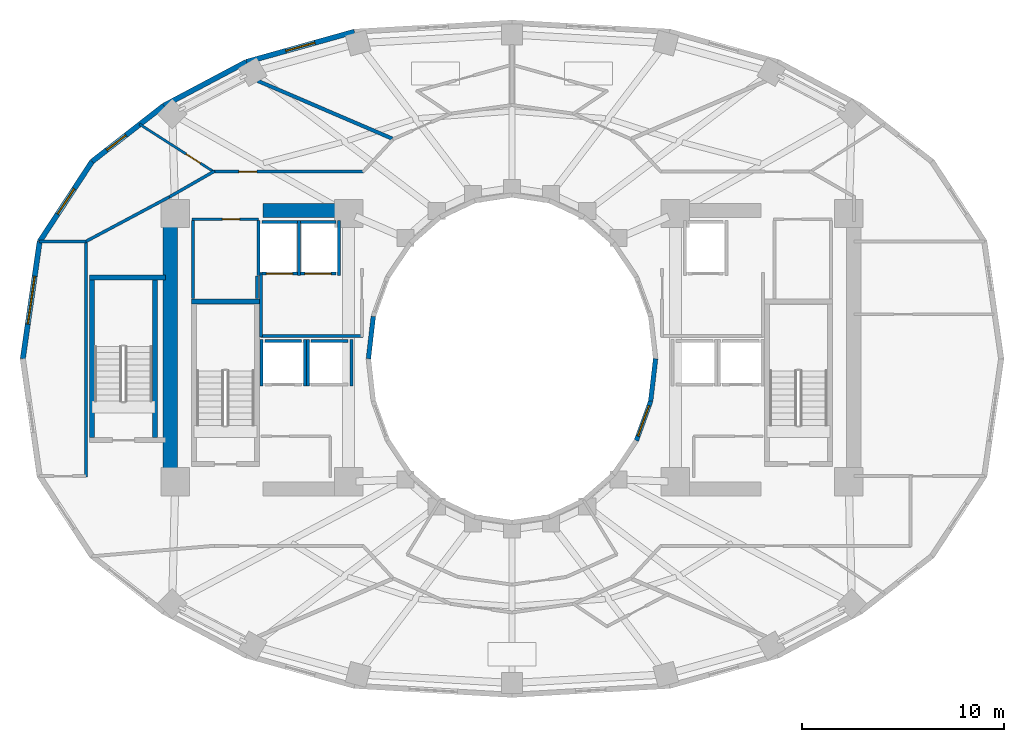
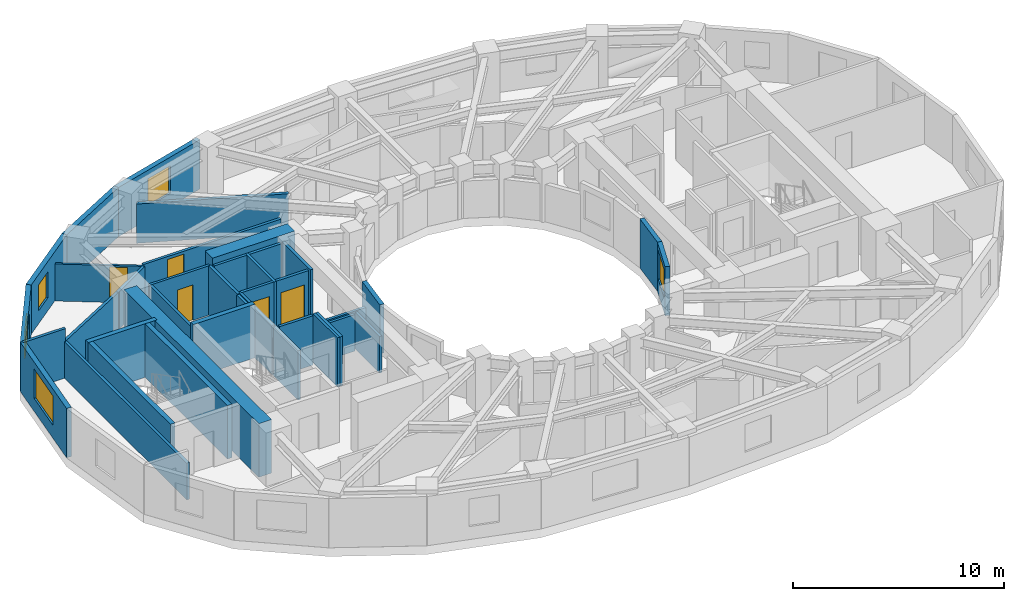
# One storey, part 4 of 9: 39 walls, 5 doors, 5 windows, 10 openings.
"""IFC4 building model written with IfcOpenShell, lengths in metres."""

from ifc_helpers import new_model, si_unit, direction, frame, frame_2d, origin, place, context, subcontext, project, spatial, rectangle, extrude, material, layer, layer_set, type_object, element, fill, save


model = new_model("IFC4")

# Units and contexts
model_context = context("Model", 3, precision=1e-05, world=origin(), true_north=direction((0.0, 1.0)))
body_context = subcontext(model_context, "Body", "Model", "MODEL_VIEW")
ifc_project = project(units=[si_unit("LENGTHUNIT", "METRE"), si_unit("AREAUNIT", "SQUARE_METRE"), si_unit("VOLUMEUNIT", "CUBIC_METRE"), si_unit("PLANEANGLEUNIT", "RADIAN"), si_unit("MASSUNIT", "GRAM", prefix="KILO")], contexts=[model_context])

# Site, building, storey
site_placement = place(None, origin())
site = spatial("IfcSite", under=ifc_project, at=site_placement, CompositionType="ELEMENT")
building_placement = place(site_placement, origin())
building = spatial("IfcBuilding", under=site, at=building_placement, Name="Solvane Sanctuary Tower", CompositionType="ELEMENT")
storey_placement = place(building_placement, frame((0.0, 0.0, 122.800048828125)))
storey = spatial("IfcBuildingStorey", under=building, at=storey_placement, Name="L37", CompositionType="ELEMENT", Elevation=122.800048828125)

# Walls
ifc_material_1 = material(Name="Concrete C60/75", Category="concrete")
ifc_layer_1 = layer(ifc_material_1, 0.699951171875, Name="Concrete C60/75")
ifc_layer_set_1 = layer_set([ifc_layer_1], Name="Concrete C60/75")
wall_type_1 = type_object("IfcWallType", Name="Wall W-CORE-700", PredefinedType="SHEAR", material=ifc_layer_set_1)
wall_1_placement = place(storey_placement, frame((15.050048828125, 17.050048828125, 0.0), z_axis=(0.0, 0.0, 1.0), x_axis=(0.0, 1.0, 0.0)))
element("IfcWall", 1, at=wall_1_placement, inside=storey, type_object=wall_type_1, Name="L37 Core Shear Wall WC-W", PredefinedType="SHEAR", context=body_context, shape_type="SweptSolid", body=[
    extrude(rectangle(XDim=12.800048828125, YDim=0.699951171875, at=frame_2d((6.39990234375, 0.0))), origin(), (0.0, 0.0, 1.0), 3.099853515625),
])
wall_2_placement = place(storey_placement, frame((19.64990234375, 30.35009765625, 0.0), z_axis=(0.0, 0.0, 1.0), x_axis=(1.0, 0.0, 0.0)))
element("IfcWall", 2, at=wall_2_placement, inside=storey, type_object=wall_type_1, Name="L37 Core Shear Wall WC-N", PredefinedType="SHEAR", context=body_context, shape_type="SweptSolid", body=[
    extrude(rectangle(XDim=4.5, YDim=0.699951171875, at=frame_2d((2.25, 0.0))), origin(), (0.0, 0.0, 1.0), 3.099853515625),
])
ifc_material_2 = material(Name="Acoustic Gypsum Partition Board")
ifc_layer_2 = layer(ifc_material_2, 0.14990234375, Name="Acoustic Gypsum Partition Board")
ifc_layer_set_2 = layer_set([ifc_layer_2], Name="Acoustic Gypsum Partition Board")
wall_type_2 = type_object("IfcWallType", Name="Wall W-CORR-150", PredefinedType="PARTITIONING", material=ifc_layer_set_2)
wall_3_placement = place(storey_placement, frame((19.52001953125, 24.1201171875, 0.0), z_axis=(0.0, 0.0, 1.0), x_axis=(1.0, 0.0, 0.0)))
element("IfcWall", 3, at=wall_3_placement, inside=storey, type_object=wall_type_2, Name="L37 West Firefighting Lobby South Wall", PredefinedType="PARTITIONING", context=body_context, shape_type="SweptSolid", body=[
    extrude(rectangle(XDim=5.080078125, YDim=0.14990234375, at=frame_2d((2.5400390625, 0.0))), origin(), (0.0, 0.0, 1.0), 2.119873046875),
])
wall_4_placement = place(storey_placement, frame((19.550048828125, 24.080078125, 0.0), z_axis=(0.0, 0.0, 1.0), x_axis=(0.0, 1.0, 0.0)))
element("IfcWall", 4, at=wall_4_placement, inside=storey, type_object=wall_type_2, Name="L37 West Firefighting Lobby West Wall", PredefinedType="PARTITIONING", context=body_context, shape_type="SweptSolid", body=[
    extrude(rectangle(XDim=3.199951171875, YDim=0.14990234375, at=frame_2d((1.60009765625, 0.0))), origin(), (0.0, 0.0, 1.0), 2.85498046875),
])
wall_5_placement = place(storey_placement, frame((10.8798828125, 17.134765625, 0.0), z_axis=(0.0, 0.0, 1.0), x_axis=(0.0, 1.0, 0.0)))
element("IfcWall", 5, at=wall_5_placement, inside=storey, type_object=wall_type_2, Name="L37 West Shoulder Back Wall", PredefinedType="PARTITIONING", context=body_context, shape_type="SweptSolid", body=[
    extrude(rectangle(XDim=11.73046875, YDim=0.14990234375, at=frame_2d((5.865234375, 0.0))), origin(), (0.0, 0.0, 1.0), 2.119873046875),
])
wall_6_placement = place(storey_placement, frame((8.558349609375, 28.8251953125, 0.0), z_axis=(0.0, 0.0, 1.0), x_axis=(1.0, 0.0, 0.0)))
element("IfcWall", 6, at=wall_6_placement, inside=storey, type_object=wall_type_2, Name="L37 West Shoulder North Wall", PredefinedType="PARTITIONING", context=body_context, shape_type="SweptSolid", body=[
    extrude(rectangle(XDim=2.321533203125, YDim=0.14990234375, at=frame_2d((1.16064453125, 0.0))), origin(), (0.0, 0.0, 1.0), 2.85498046875),
])
wall_7_placement = place(storey_placement, frame((10.8447265625, 28.806396484375, 0.0), z_axis=(0.0, 0.0, 1.0), x_axis=(0.88227840565, 0.470727962759, 0.0)))
element("IfcWall", 7, at=wall_7_placement, inside=storey, type_object=wall_type_2, Name="L37 NW Corner Closer 1", PredefinedType="PARTITIONING", context=body_context, shape_type="SweptSolid", body=[
    extrude(rectangle(XDim=4.806396484375, YDim=0.14990234375, at=frame_2d((2.4033203125, 0.0))), origin(), (0.0, 0.0, 1.0), 2.141845703125),
])

# Wall, opening, door
wall_8_placement = place(storey_placement, frame((17.14990234375, 32.280029296875, 0.0), z_axis=(0.0, 0.0, 1.0), x_axis=(1.0, 0.0, 0.0)))
wall_8 = element("IfcWall", 8, at=wall_8_placement, inside=storey, type_object=wall_type_2, Name="L37 NW Corner Corridor Wall", PredefinedType="PARTITIONING", context=body_context, shape_type="SweptSolid", body=[
    extrude(rectangle(XDim=7.52001953125, YDim=0.14990234375, at=frame_2d((3.760009765625, 0.0))), origin(), (0.0, 0.0, 1.0), 2.27197265625),
])
opening_1_placement = place(wall_8_placement, frame((1.300048828125, 0.0, 0.0)))
opening_1 = element("IfcOpeningElement", 9, at=opening_1_placement, cuts=wall_8, Name="Opening D-L37-16", PredefinedType="OPENING", context=body_context, shape_type="SweptSolid", body=[
    extrude(rectangle(XDim=0.89990234375, YDim=2.10009765625, at=frame_2d((0.449951171875, 1.050048828125))), frame((0.0, 0.0849609375, 0.0), z_axis=(0.0, -1.0, 0.0), x_axis=(1.0, 0.0, 0.0)), (0.0, 0.0, 1.0), 0.169921875),
])
ifc_material_3 = material(Name="Engineered Tropical Hardwood", Category="wood")
door_type_1 = type_object("IfcDoorType", Name="Door D-WET-900", OperationType="NOTDEFINED", PredefinedType="DOOR", material=ifc_material_3)
door_1_placement = place(opening_1_placement, origin())
door_1 = element("IfcDoor", 10, at=door_1_placement, inside=storey, type_object=door_type_1, Name="L37 NW Corner Salon Door", OperationType="SINGLE_SWING_LEFT", OverallHeight=2.10009765625, OverallWidth=0.89990234375, PredefinedType="DOOR", context=body_context, shape_type="SweptSolid", body=[
    extrude(rectangle(XDim=0.89990234375, YDim=2.10009765625, at=frame_2d((0.449951171875, 1.050048828125))), frame((0.0, 0.02490234375, 0.0), z_axis=(0.0, -1.0, 0.0), x_axis=(1.0, 0.0, 0.0)), (0.0, 0.0, 1.0), 0.050048828125),
])
fill(opening_1, door_1)

# Wall
wall_9_placement = place(storey_placement, frame((17.243408203125, 32.3046875, 0.0), z_axis=(0.0, 0.0, 1.0), x_axis=(-0.867991349648, -0.496579315857, 0.0)))
element("IfcWall", 11, at=wall_9_placement, inside=storey, type_object=wall_type_2, Name="L37 NW Corner Wing Wall", PredefinedType="PARTITIONING", context=body_context, shape_type="SweptSolid", body=[
    extrude(rectangle(XDim=2.56689453125, YDim=0.14990234375, at=frame_2d((1.283447265625, 0.0))), origin(), (0.0, 0.0, 1.0), 2.141845703125),
])

# Wall, opening, window
ifc_material_4 = material(Name="Precast concrete C40/50", Category="concrete")
ifc_layer_3 = layer(ifc_material_4, 0.260009765625, Name="Precast concrete C40/50")
ifc_layer_set_3 = layer_set([ifc_layer_3], Name="Precast concrete C40/50")
wall_type_3 = type_object("IfcWallType", Name="Wall W-EXT-250", PredefinedType="STANDARD", material=ifc_layer_set_3)
wall_10_placement = place(storey_placement, frame((24.18359375, 39.2216796875, 0.0), z_axis=(0.0, 0.0, 1.0), x_axis=(-0.962938491413, -0.269721081407, 0.0)))
wall_10 = element("IfcWall", 12, at=wall_10_placement, inside=storey, type_object=wall_type_3, Name="L37 Ceramic-Printed Facade Wall 07", PredefinedType="STANDARD", context=body_context, shape_type="SweptSolid", body=[
    extrude(rectangle(XDim=5.563232421875, YDim=0.260009765625, at=frame_2d((2.78173828125, 0.0))), origin(), (0.0, 0.0, 1.0), 2.849853515625),
])
opening_2_placement = place(wall_10_placement, frame((2.031494140625, 0.0, 0.75)))
opening_2 = element("IfcOpeningElement", 13, at=opening_2_placement, cuts=wall_10, Name="Opening WN-OPER-1500", PredefinedType="OPENING", context=body_context, shape_type="SweptSolid", body=[
    extrude(rectangle(XDim=1.5, YDim=1.60009765625, at=frame_2d((0.75, 0.800048828125))), frame((0.0, 0.139892578125, 0.0), z_axis=(0.0, -1.0, 0.0), x_axis=(1.0, 0.0, 0.0)), (0.0, 0.0, 1.0), 0.280029296875),
])
ifc_material_5 = material(Name="Dark Ceramic-Fritted Low-E Glass", Category="glass")
window_type_1 = type_object("IfcWindowType", Name="Window WN-OPER-1500", PartitioningType="SINGLE_PANEL", PredefinedType="WINDOW", material=ifc_material_5)
window_1_placement = place(opening_2_placement, origin())
window_1 = element("IfcWindow", 14, at=window_1_placement, inside=storey, type_object=window_type_1, Name="L37 Operable Facade Window 07", OverallHeight=1.60009765625, OverallWidth=1.5, PartitioningType="SINGLE_PANEL", PredefinedType="WINDOW", context=body_context, shape_type="SweptSolid", body=[
    extrude(rectangle(XDim=1.5, YDim=1.60009765625, at=frame_2d((0.75, 0.800048828125))), frame((0.0, 0.030029296875, 0.0), z_axis=(0.0, -1.0, 0.0), x_axis=(1.0, 0.0, 0.0)), (0.0, 0.0, 1.0), 0.06005859375),
])
fill(opening_2, window_1)

# Wall
wall_11_placement = place(storey_placement, frame((18.82666015625, 37.72119140625, 0.0), z_axis=(0.0, 0.0, 1.0), x_axis=(-0.883668636807, -0.4681129568, 0.0)))
element("IfcWall", 15, at=wall_11_placement, inside=storey, type_object=wall_type_3, Name="L37 Ceramic-Printed Facade Wall 08", PredefinedType="STANDARD", context=body_context, shape_type="SweptSolid", body=[
    extrude(rectangle(XDim=4.63134765625, YDim=0.260009765625, at=frame_2d((2.315673828125, 0.0))), origin(), (0.0, 0.0, 1.0), 2.849853515625),
])

# Wall, opening, window
wall_12_placement = place(storey_placement, frame((14.734130859375, 35.55322265625, 0.0), z_axis=(0.0, 0.0, 1.0), x_axis=(-0.789127449954, -0.614229491094, 0.0)))
wall_12 = element("IfcWall", 16, at=wall_12_placement, inside=storey, type_object=wall_type_3, Name="L37 Ceramic-Printed Facade Wall 09", PredefinedType="STANDARD", context=body_context, shape_type="SweptSolid", body=[
    extrude(rectangle(XDim=4.504638671875, YDim=0.260009765625, at=frame_2d((2.25244140625, 0.0))), origin(), (0.0, 0.0, 1.0), 2.849853515625),
])
opening_3_placement = place(wall_12_placement, frame((2.383056640625, 0.0, 0.75)))
opening_3 = element("IfcOpeningElement", 17, at=opening_3_placement, cuts=wall_12, Name="Opening WN-OPER-1200", PredefinedType="OPENING", context=body_context, shape_type="SweptSolid", body=[
    extrude(rectangle(XDim=1.199951171875, YDim=1.5, at=frame_2d((0.60009765625, 0.75))), frame((0.0, 0.139892578125, 0.0), z_axis=(0.0, -1.0, 0.0), x_axis=(1.0, 0.0, 0.0)), (0.0, 0.0, 1.0), 0.280029296875),
])
window_type_2 = type_object("IfcWindowType", Name="Window WN-OPER-1200", PartitioningType="SINGLE_PANEL", PredefinedType="WINDOW", material=ifc_material_5)
window_2_placement = place(opening_3_placement, origin())
window_2 = element("IfcWindow", 18, at=window_2_placement, inside=storey, type_object=window_type_2, Name="L37 Operable Facade Window 09", OverallHeight=1.5, OverallWidth=1.199951171875, PartitioningType="SINGLE_PANEL", PredefinedType="WINDOW", context=body_context, shape_type="SweptSolid", body=[
    extrude(rectangle(XDim=1.199951171875, YDim=1.5, at=frame_2d((0.60009765625, 0.75))), frame((0.0, 0.030029296875, 0.0), z_axis=(0.0, -1.0, 0.0), x_axis=(1.0, 0.0, 0.0)), (0.0, 0.0, 1.0), 0.06005859375),
])
fill(opening_3, window_2)

wall_13_placement = place(storey_placement, frame((11.179443359375, 32.786376953125, 0.0), z_axis=(0.0, 0.0, 1.0), x_axis=(-0.548283220945, -0.836292717672, 0.0)))
wall_13 = element("IfcWall", 19, at=wall_13_placement, inside=storey, type_object=wall_type_3, Name="L37 Ceramic-Printed Facade Wall 10", PredefinedType="STANDARD", context=body_context, shape_type="SweptSolid", body=[
    extrude(rectangle(XDim=4.744384765625, YDim=0.260009765625, at=frame_2d((2.3720703125, 0.0))), origin(), (0.0, 0.0, 1.0), 2.849853515625),
])
opening_4_placement = place(wall_13_placement, frame((1.622314453125, 0.0, 0.75)))
opening_4 = element("IfcOpeningElement", 20, at=opening_4_placement, cuts=wall_13, Name="Opening WN-OPER-1500", PredefinedType="OPENING", context=body_context, shape_type="SweptSolid", body=[
    extrude(rectangle(XDim=1.5, YDim=1.60009765625, at=frame_2d((0.75, 0.800048828125))), frame((0.0, 0.139892578125, 0.0), z_axis=(0.0, -1.0, 0.0), x_axis=(1.0, 0.0, 0.0)), (0.0, 0.0, 1.0), 0.280029296875),
])
window_3_placement = place(opening_4_placement, origin())
window_3 = element("IfcWindow", 21, at=window_3_placement, inside=storey, type_object=window_type_1, Name="L37 Operable Facade Window 10", OverallHeight=1.60009765625, OverallWidth=1.5, PartitioningType="SINGLE_PANEL", PredefinedType="WINDOW", context=body_context, shape_type="SweptSolid", body=[
    extrude(rectangle(XDim=1.5, YDim=1.60009765625, at=frame_2d((0.75, 0.800048828125))), frame((0.0, 0.030029296875, 0.0), z_axis=(0.0, -1.0, 0.0), x_axis=(1.0, 0.0, 0.0)), (0.0, 0.0, 1.0), 0.06005859375),
])
fill(opening_4, window_3)

wall_14_placement = place(storey_placement, frame((8.578125, 28.818603515625, 0.0), z_axis=(0.0, 0.0, 1.0), x_axis=(-0.142572472068, -0.98978436551, 0.0)))
wall_14 = element("IfcWall", 22, at=wall_14_placement, inside=storey, type_object=wall_type_3, Name="L37 Ceramic-Printed Facade Wall 11", PredefinedType="STANDARD", context=body_context, shape_type="SweptSolid", body=[
    extrude(rectangle(XDim=5.878662109375, YDim=0.260009765625, at=frame_2d((2.939453125, 0.0))), origin(), (0.0, 0.0, 1.0), 2.849853515625),
])
opening_5_placement = place(wall_14_placement, frame((1.739501953125, 0.0, 0.75)))
opening_5 = element("IfcOpeningElement", 23, at=opening_5_placement, cuts=wall_14, Name="Opening WN-RIB-2400", PredefinedType="OPENING", context=body_context, shape_type="SweptSolid", body=[
    extrude(rectangle(XDim=2.39990234375, YDim=1.699951171875, at=frame_2d((1.199951171875, 0.85009765625))), frame((0.0, 0.139892578125, 0.0), z_axis=(0.0, -1.0, 0.0), x_axis=(1.0, 0.0, 0.0)), (0.0, 0.0, 1.0), 0.280029296875),
])
window_type_3 = type_object("IfcWindowType", Name="Window WN-RIB-2400", PartitioningType="SINGLE_PANEL", PredefinedType="WINDOW", material=ifc_material_5)
window_4_placement = place(opening_5_placement, origin())
window_4 = element("IfcWindow", 24, at=window_4_placement, inside=storey, type_object=window_type_3, Name="L37 Operable Facade Window 11", OverallHeight=1.699951171875, OverallWidth=2.39990234375, PartitioningType="SINGLE_PANEL", PredefinedType="WINDOW", context=body_context, shape_type="SweptSolid", body=[
    extrude(rectangle(XDim=2.39990234375, YDim=1.699951171875, at=frame_2d((1.199951171875, 0.85009765625))), frame((0.0, 0.030029296875, 0.0), z_axis=(0.0, -1.0, 0.0), x_axis=(1.0, 0.0, 0.0)), (0.0, 0.0, 1.0), 0.06005859375),
])
fill(opening_5, window_4)

# Wall
ifc_layer_4 = layer(ifc_material_4, 0.22998046875, Name="Precast concrete C40/50")
ifc_layer_set_4 = layer_set([ifc_layer_4], Name="Precast concrete C40/50")
wall_type_4 = type_object("IfcWallType", Name="Wall W-EXT-SP220", PredefinedType="STANDARD", material=ifc_layer_set_4)
wall_15_placement = place(storey_placement, frame((25.12255859375, 25.1015625, 0.0), z_axis=(0.0, 0.0, 1.0), x_axis=(-0.114711713601, -0.993398823617, 0.0)))
element("IfcWall", 25, at=wall_15_placement, inside=storey, type_object=wall_type_4, Name="L37 Central Light-Well Wall 11", PredefinedType="STANDARD", context=body_context, shape_type="SweptSolid", body=[
    extrude(rectangle(XDim=2.115478515625, YDim=0.22998046875, at=frame_2d((1.0576171875, 0.0))), origin(), (0.0, 0.0, 1.0), 2.83984375),
])

# Wall, opening, window
wall_16_placement = place(storey_placement, frame((38.166015625, 18.93994140625, 0.0), z_axis=(0.0, 0.0, 1.0), x_axis=(0.341423187295, 0.93990968033, 0.0)))
wall_16 = element("IfcWall", 26, at=wall_16_placement, inside=storey, type_object=wall_type_4, Name="L37 Central Light-Well Wall 22", PredefinedType="STANDARD", context=body_context, shape_type="SweptSolid", body=[
    extrude(rectangle(XDim=2.083740234375, YDim=0.22998046875, at=frame_2d((1.0419921875, 0.0))), origin(), (0.0, 0.0, 1.0), 2.83984375),
])
opening_6_placement = place(wall_16_placement, frame((0.24169921875, 0.0, 0.85009765625)))
opening_6 = element("IfcOpeningElement", 27, at=opening_6_placement, cuts=wall_16, Name="Opening WN-WELL-1600", PredefinedType="OPENING", context=body_context, shape_type="SweptSolid", body=[
    extrude(rectangle(XDim=1.60009765625, YDim=1.64990234375, at=frame_2d((0.800048828125, 0.824951171875))), frame((0.0, 0.125, 0.0), z_axis=(0.0, -1.0, 0.0), x_axis=(1.0, 0.0, 0.0)), (0.0, 0.0, 1.0), 0.25),
])
ifc_material_6 = material(Name="Clear Laminated Light-Well Glass", Category="glass")
window_type_4 = type_object("IfcWindowType", Name="Window WN-WELL-1600", PartitioningType="SINGLE_PANEL", PredefinedType="WINDOW", material=ifc_material_6)
window_5_placement = place(opening_6_placement, origin())
window_5 = element("IfcWindow", 28, at=window_5_placement, inside=storey, type_object=window_type_4, Name="L37 Light-Well Daylight Window 22", OverallHeight=1.64990234375, OverallWidth=1.60009765625, PartitioningType="SINGLE_PANEL", PredefinedType="WINDOW", context=body_context, shape_type="SweptSolid", body=[
    extrude(rectangle(XDim=1.60009765625, YDim=1.64990234375, at=frame_2d((0.800048828125, 0.824951171875))), frame((0.0, 0.030029296875, 0.0), z_axis=(0.0, -1.0, 0.0), x_axis=(1.0, 0.0, 0.0)), (0.0, 0.0, 1.0), 0.06005859375),
])
fill(opening_6, window_5)

# Wall
wall_17_placement = place(storey_placement, frame((38.87744140625, 20.8984375, 0.0), z_axis=(0.0, 0.0, 1.0), x_axis=(0.114711713601, 0.993398823617, 0.0)))
element("IfcWall", 29, at=wall_17_placement, inside=storey, type_object=wall_type_4, Name="L37 Central Light-Well Wall 23", PredefinedType="STANDARD", context=body_context, shape_type="SweptSolid", body=[
    extrude(rectangle(XDim=2.115478515625, YDim=0.22998046875, at=frame_2d((1.0576171875, 0.0))), origin(), (0.0, 0.0, 1.0), 2.83984375),
])

# Wall, opening, door
ifc_layer_5 = layer(ifc_material_2, 0.1201171875, Name="Acoustic Gypsum Partition Board")
ifc_layer_set_5 = layer_set([ifc_layer_5], Name="Acoustic Gypsum Partition Board")
wall_type_5 = type_object("IfcWallType", Name="Wall W-MOV-100", PredefinedType="MOVABLE", material=ifc_layer_set_5)
wall_18_placement = place(storey_placement, frame((17.2421875, 32.2529296875, 0.0), z_axis=(0.0, 0.0, 1.0), x_axis=(-0.841897149708, 0.539638016928, 0.0)))
wall_18 = element("IfcWall", 30, at=wall_18_placement, inside=storey, type_object=wall_type_5, Name="L37 NW Corner Suite Partition", PredefinedType="MOVABLE", context=body_context, shape_type="SweptSolid", body=[
    extrude(rectangle(XDim=4.42138671875, YDim=0.1201171875, at=frame_2d((2.210693359375, 0.0))), origin(), (0.0, 0.0, 1.0), 2.141845703125),
])
opening_7_placement = place(wall_18_placement, frame((0.8212890625, 0.0, 0.0)))
opening_7 = element("IfcOpeningElement", 31, at=opening_7_placement, cuts=wall_18, Name="Opening D-L37-15", PredefinedType="OPENING", context=body_context, shape_type="SweptSolid", body=[
    extrude(rectangle(XDim=0.85009765625, YDim=2.050048828125, at=frame_2d((0.425048828125, 1.02490234375))), frame((0.0, 0.070068359375, 0.0), z_axis=(0.0, -1.0, 0.0), x_axis=(1.0, 0.0, 0.0)), (0.0, 0.0, 1.0), 0.14013671875),
])
ifc_material_7 = material(Name="Architectural Stainless Steel 316", Category="steel")
door_type_2 = type_object("IfcDoorType", Name="Door D-RISER", OperationType="NOTDEFINED", PredefinedType="DOOR", material=ifc_material_7)
door_2_placement = place(opening_7_placement, origin())
door_2 = element("IfcDoor", 32, at=door_2_placement, inside=storey, type_object=door_type_2, Name="L37 NW Corner Suite Door", OperationType="SINGLE_SWING_RIGHT", OverallHeight=2.050048828125, OverallWidth=0.85009765625, PredefinedType="DOOR", context=body_context, shape_type="SweptSolid", body=[
    extrude(rectangle(XDim=0.85009765625, YDim=2.050048828125, at=frame_2d((0.425048828125, 1.02490234375))), frame((0.0, 0.02490234375, 0.0), z_axis=(0.0, -1.0, 0.0), x_axis=(1.0, 0.0, 0.0)), (0.0, 0.0, 1.0), 0.050048828125),
])
fill(opening_7, door_2)

# Walls
ifc_material_8 = material(Name="Concrete C50/60", Category="concrete")
ifc_layer_6 = layer(ifc_material_8, 0.14990234375, Name="Concrete C50/60")
ifc_layer_set_6 = layer_set([ifc_layer_6], Name="Concrete C50/60")
wall_type_6 = type_object("IfcWallType", Name="Wall W-SHAFT-150", PredefinedType="SOLIDWALL", material=ifc_layer_set_6)
wall_19_placement = place(storey_placement, frame((19.739990234375, 23.8798828125, 0.0), z_axis=(0.0, 0.0, 1.0), x_axis=(1.0, 0.0, 0.0)))
element("IfcWall", 33, at=wall_19_placement, inside=storey, type_object=wall_type_6, Name="L37 PM-1 Lift Shaft Wall B", PredefinedType="SOLIDWALL", context=body_context, shape_type="SweptSolid", body=[
    extrude(rectangle(XDim=1.820068359375, YDim=0.14990234375, at=frame_2d((0.91015625, 0.0))), origin(), (0.0, 0.0, 1.0), 2.85498046875),
])
for number, where, z_axis, x_axis, name in (
    (34, (19.570068359375, 21.639892578125, 0.0), (0.0, 0.0, 1.0), (0.0, 1.0, 0.0), "L37 PM-1 Lift Shaft Wall S1"),
    (35, (21.72998046875, 21.639892578125, 0.0), (0.0, 0.0, 1.0), (0.0, 1.0, 0.0), "L37 PM-1 Lift Shaft Wall S2"),
):
    element("IfcWall", number, at=place(storey_placement, frame(where, z_axis=z_axis, x_axis=x_axis)), inside=storey, type_object=wall_type_6, Name=name, PredefinedType="SOLIDWALL", context=body_context, shape_type="SweptSolid", body=[
        extrude(rectangle(XDim=2.320068359375, YDim=0.14990234375, at=frame_2d((1.16015625, 0.0))), origin(), (0.0, 0.0, 1.0), 2.85498046875),
    ])
wall_20_placement = place(storey_placement, frame((22.0400390625, 23.8798828125, 0.0), z_axis=(0.0, 0.0, 1.0), x_axis=(1.0, 0.0, 0.0)))
element("IfcWall", 36, at=wall_20_placement, inside=storey, type_object=wall_type_6, Name="L37 PH-1 Lift Shaft Wall B", PredefinedType="SOLIDWALL", context=body_context, shape_type="SweptSolid", body=[
    extrude(rectangle(XDim=1.820068359375, YDim=0.14990234375, at=frame_2d((0.91015625, 0.0))), origin(), (0.0, 0.0, 1.0), 2.119873046875),
])
wall_21_placement = place(storey_placement, frame((21.8701171875, 21.639892578125, 0.0), z_axis=(0.0, 0.0, 1.0), x_axis=(0.0, 1.0, 0.0)))
element("IfcWall", 37, at=wall_21_placement, inside=storey, type_object=wall_type_6, Name="L37 PH-1 Lift Shaft Wall S1", PredefinedType="SOLIDWALL", context=body_context, shape_type="SweptSolid", body=[
    extrude(rectangle(XDim=2.320068359375, YDim=0.14990234375, at=frame_2d((1.16015625, 0.0))), origin(), (0.0, 0.0, 1.0), 2.85498046875),
])
wall_22_placement = place(storey_placement, frame((24.030029296875, 21.639892578125, 0.0), z_axis=(0.0, 0.0, 1.0), x_axis=(0.0, 1.0, 0.0)))
element("IfcWall", 38, at=wall_22_placement, inside=storey, type_object=wall_type_6, Name="L37 PH-1 Lift Shaft Wall S2", PredefinedType="SOLIDWALL", context=body_context, shape_type="SweptSolid", body=[
    extrude(rectangle(XDim=2.320068359375, YDim=0.14990234375, at=frame_2d((1.16015625, 0.0))), origin(), (0.0, 0.0, 1.0), 2.119873046875),
])

# Wall, opening, door
wall_23_placement = place(storey_placement, frame((19.590087890625, 27.219970703125, 0.0), z_axis=(0.0, 0.0, 1.0), x_axis=(1.0, 0.0, 0.0)))
wall_23 = element("IfcWall", 39, at=wall_23_placement, inside=storey, type_object=wall_type_6, Name="L37 FFL-1 Lift Shaft Wall F", PredefinedType="SOLIDWALL", context=body_context, shape_type="SweptSolid", body=[
    extrude(rectangle(XDim=1.760009765625, YDim=0.14990234375, at=frame_2d((0.8798828125, 0.0))), origin(), (0.0, 0.0, 1.0), 2.85498046875),
])
opening_8_placement = place(wall_23_placement, frame((0.22998046875, 0.0, 0.0)))
opening_8 = element("IfcOpeningElement", 40, at=opening_8_placement, cuts=wall_23, Name="Opening LD-L37-03", PredefinedType="OPENING", context=body_context, shape_type="SweptSolid", body=[
    extrude(rectangle(XDim=1.300048828125, YDim=2.10009765625, at=frame_2d((0.64990234375, 1.050048828125))), frame((0.0, 0.0849609375, 0.0), z_axis=(0.0, -1.0, 0.0), x_axis=(1.0, 0.0, 0.0)), (0.0, 0.0, 1.0), 0.169921875),
])
door_type_3 = type_object("IfcDoorType", Name="Door LD-FFL-1300", OperationType="NOTDEFINED", PredefinedType="DOOR", material=ifc_material_7)
door_3_placement = place(opening_8_placement, origin())
door_3 = element("IfcDoor", 41, at=door_3_placement, inside=storey, type_object=door_type_3, Name="L37 FFL-1 Lift Landing Door", OperationType="DOUBLE_DOOR_SLIDING", OverallHeight=2.10009765625, OverallWidth=1.300048828125, PredefinedType="DOOR", context=body_context, shape_type="SweptSolid", body=[
    extrude(rectangle(XDim=1.300048828125, YDim=2.10009765625, at=frame_2d((0.64990234375, 1.050048828125))), frame((0.0, 0.02490234375, 0.0), z_axis=(0.0, -1.0, 0.0), x_axis=(1.0, 0.0, 0.0)), (0.0, 0.0, 1.0), 0.050048828125),
])
fill(opening_8, door_3)

# Walls
wall_24_placement = place(storey_placement, frame((19.590087890625, 29.780029296875, 0.0), z_axis=(0.0, 0.0, 1.0), x_axis=(1.0, 0.0, 0.0)))
element("IfcWall", 42, at=wall_24_placement, inside=storey, type_object=wall_type_6, Name="L37 FFL-1 Lift Shaft Wall B", PredefinedType="SOLIDWALL", context=body_context, shape_type="SweptSolid", body=[
    extrude(rectangle(XDim=1.760009765625, YDim=0.14990234375, at=frame_2d((0.8798828125, 0.0))), origin(), (0.0, 0.0, 1.0), 2.85498046875),
])
for number, where, z_axis, x_axis, name in (
    (43, (19.419921875, 27.139892578125, 0.0), (0.0, 0.0, 1.0), (0.0, 1.0, 0.0), "L37 FFL-1 Lift Shaft Wall S1"),
    (44, (21.425048828125, 27.139892578125, 0.0), (0.0, 0.0, 1.0), (0.0, 1.0, 0.0), "L37 FFL-1 Lift Shaft Wall S2"),
):
    element("IfcWall", number, at=place(storey_placement, frame(where, z_axis=z_axis, x_axis=x_axis)), inside=storey, type_object=wall_type_6, Name=name, PredefinedType="SOLIDWALL", context=body_context, shape_type="SweptSolid", body=[
        extrude(rectangle(XDim=2.72021484375, YDim=0.14990234375, at=frame_2d((1.360107421875, 0.0))), origin(), (0.0, 0.0, 1.0), 2.85498046875),
    ])

# Wall, opening, door
wall_25_placement = place(storey_placement, frame((21.5, 27.219970703125, 0.0), z_axis=(0.0, 0.0, 1.0), x_axis=(1.0, 0.0, 0.0)))
wall_25 = element("IfcWall", 45, at=wall_25_placement, inside=storey, type_object=wall_type_6, Name="L37 SVL-1 Lift Shaft Wall F", PredefinedType="SOLIDWALL", context=body_context, shape_type="SweptSolid", body=[
    extrude(rectangle(XDim=1.760009765625, YDim=0.14990234375, at=frame_2d((0.8798828125, 0.0))), origin(), (0.0, 0.0, 1.0), 2.85498046875),
])
opening_9_placement = place(wall_25_placement, frame((0.22998046875, 0.0, 0.0)))
opening_9 = element("IfcOpeningElement", 46, at=opening_9_placement, cuts=wall_25, Name="Opening LD-L37-04", PredefinedType="OPENING", context=body_context, shape_type="SweptSolid", body=[
    extrude(rectangle(XDim=1.300048828125, YDim=2.10009765625, at=frame_2d((0.64990234375, 1.050048828125))), frame((0.0, 0.0849609375, 0.0), z_axis=(0.0, -1.0, 0.0), x_axis=(1.0, 0.0, 0.0)), (0.0, 0.0, 1.0), 0.169921875),
])
door_4_placement = place(opening_9_placement, origin())
door_4 = element("IfcDoor", 47, at=door_4_placement, inside=storey, type_object=door_type_3, Name="L37 SVL-1 Lift Landing Door", OperationType="DOUBLE_DOOR_SLIDING", OverallHeight=2.10009765625, OverallWidth=1.300048828125, PredefinedType="DOOR", context=body_context, shape_type="SweptSolid", body=[
    extrude(rectangle(XDim=1.300048828125, YDim=2.10009765625, at=frame_2d((0.64990234375, 1.050048828125))), frame((0.0, 0.02490234375, 0.0), z_axis=(0.0, -1.0, 0.0), x_axis=(1.0, 0.0, 0.0)), (0.0, 0.0, 1.0), 0.050048828125),
])
fill(opening_9, door_4)

# Walls
wall_26_placement = place(storey_placement, frame((21.5, 29.780029296875, 0.0), z_axis=(0.0, 0.0, 1.0), x_axis=(1.0, 0.0, 0.0)))
element("IfcWall", 48, at=wall_26_placement, inside=storey, type_object=wall_type_6, Name="L37 SVL-1 Lift Shaft Wall B", PredefinedType="SOLIDWALL", context=body_context, shape_type="SweptSolid", body=[
    extrude(rectangle(XDim=1.760009765625, YDim=0.14990234375, at=frame_2d((0.8798828125, 0.0))), origin(), (0.0, 0.0, 1.0), 2.85498046875),
])
wall_27_placement = place(storey_placement, frame((23.429931640625, 27.139892578125, 0.0), z_axis=(0.0, 0.0, 1.0), x_axis=(0.0, 1.0, 0.0)))
element("IfcWall", 49, at=wall_27_placement, inside=storey, type_object=wall_type_6, Name="L37 SVL-1 Lift Shaft Wall S2", PredefinedType="SOLIDWALL", context=body_context, shape_type="SweptSolid", body=[
    extrude(rectangle(XDim=2.72021484375, YDim=0.14990234375, at=frame_2d((1.360107421875, 0.0))), origin(), (0.0, 0.0, 1.0), 2.85498046875),
])
ifc_layer_7 = layer(ifc_material_8, 0.25, Name="Concrete C50/60")
ifc_layer_set_7 = layer_set([ifc_layer_7], Name="Concrete C50/60")
wall_type_7 = type_object("IfcWallType", Name="Wall W-SHAFT-250", PredefinedType="SOLIDWALL", material=ifc_layer_set_7)
wall_28_placement = place(storey_placement, frame((16.10498046875, 25.830078125, 0.0), z_axis=(0.0, 0.0, 1.0), x_axis=(1.0, 0.0, 0.0)))
element("IfcWall", 50, at=wall_28_placement, inside=storey, type_object=wall_type_7, Name="L37 ST-1 Load-Bearing Shaft Wall N", PredefinedType="SOLIDWALL", context=body_context, shape_type="SweptSolid", body=[
    extrude(rectangle(XDim=3.3701171875, YDim=0.25, at=frame_2d((1.68505859375, 0.0))), origin(), (0.0, 0.0, 1.0), 3.099853515625),
])
wall_29_placement = place(storey_placement, frame((11.044921875, 27.030029296875, 0.0), z_axis=(0.0, 0.0, 1.0), x_axis=(1.0, 0.0, 0.0)))
element("IfcWall", 51, at=wall_29_placement, inside=storey, type_object=wall_type_7, Name="L37 ST-3 Load-Bearing Shaft Wall N", PredefinedType="SOLIDWALL", context=body_context, shape_type="SweptSolid", body=[
    extrude(rectangle(XDim=3.781982421875, YDim=0.25, at=frame_2d((1.89111328125, 0.0))), origin(), (0.0, 0.0, 1.0), 3.099853515625),
])
for number, where, z_axis, x_axis, name in (
    (52, (11.169921875, 19.094970703125, 0.0), (0.0, 0.0, 1.0), (0.0, 1.0, 0.0), "L37 ST-3 Load-Bearing Shaft Wall W"),
    (53, (14.2900390625, 19.094970703125, 0.0), (0.0, 0.0, 1.0), (0.0, 1.0, 0.0), "L37 ST-3 Load-Bearing Shaft Wall E"),
):
    element("IfcWall", number, at=place(storey_placement, frame(where, z_axis=z_axis, x_axis=x_axis)), inside=storey, type_object=wall_type_7, Name=name, PredefinedType="SOLIDWALL", context=body_context, shape_type="SweptSolid", body=[
        extrude(rectangle(XDim=7.81005859375, YDim=0.25, at=frame_2d((3.905029296875, 0.0))), origin(), (0.0, 0.0, 1.0), 3.099853515625),
    ])
ifc_layer_8 = layer(ifc_material_2, 0.179931640625, Name="Acoustic Gypsum Partition Board")
ifc_layer_set_8 = layer_set([ifc_layer_8], Name="Acoustic Gypsum Partition Board")
wall_type_8 = type_object("IfcWallType", Name="Wall W-UNIT-180", PredefinedType="PARTITIONING", material=ifc_layer_set_8)
wall_30_placement = place(storey_placement, frame((26.05859375, 33.91796875, 0.0), z_axis=(0.0, 0.0, 1.0), x_axis=(-0.918836579087, 0.394638240584, 0.0)))
element("IfcWall", 54, at=wall_30_placement, inside=storey, type_object=wall_type_8, Name="L37 Radial Compartment Wall 120", PredefinedType="PARTITIONING", context=body_context, shape_type="SweptSolid", body=[
    extrude(rectangle(XDim=7.2529296875, YDim=0.179931640625, at=frame_2d((3.62646484375, 0.0))), origin(), (0.0, 0.0, 1.0), 2.27197265625),
])

# Wall, opening, door
ifc_layer_9 = layer(ifc_material_2, 0.139892578125, Name="Acoustic Gypsum Partition Board")
ifc_layer_set_9 = layer_set([ifc_layer_9], Name="Acoustic Gypsum Partition Board")
wall_type_9 = type_object("IfcWallType", Name="Wall W-WET-140", PredefinedType="PLUMBINGWALL", material=ifc_layer_set_9)
wall_31_placement = place(storey_placement, frame((16.1201171875, 29.919921875, 0.0), z_axis=(0.0, 0.0, 1.0), x_axis=(1.0, 0.0, 0.0)))
wall_31 = element("IfcWall", 55, at=wall_31_placement, inside=storey, type_object=wall_type_9, Name="L37 Core Service Front Wall KW0", PredefinedType="PLUMBINGWALL", context=body_context, shape_type="SweptSolid", body=[
    extrude(rectangle(XDim=3.2998046875, YDim=0.139892578125, at=frame_2d((1.64990234375, 0.0))), origin(), (0.0, 0.0, 1.0), 2.85498046875),
])
opening_10_placement = place(wall_31_placement, frame((1.515869140625, 0.0, 0.0)))
opening_10 = element("IfcOpeningElement", 56, at=opening_10_placement, cuts=wall_31, Name="Opening D-L37-08", PredefinedType="OPENING", context=body_context, shape_type="SweptSolid", body=[
    extrude(rectangle(XDim=0.85009765625, YDim=2.050048828125, at=frame_2d((0.425048828125, 1.02490234375))), frame((0.0, 0.079833984375, 0.0), z_axis=(0.0, -1.0, 0.0), x_axis=(1.0, 0.0, 0.0)), (0.0, 0.0, 1.0), 0.159912109375),
])
door_5_placement = place(opening_10_placement, origin())
door_5 = element("IfcDoor", 57, at=door_5_placement, inside=storey, type_object=door_type_2, Name="L37 Core Service Room Door KW0-1", OperationType="SINGLE_SWING_LEFT", OverallHeight=2.050048828125, OverallWidth=0.85009765625, PredefinedType="DOOR", context=body_context, shape_type="SweptSolid", body=[
    extrude(rectangle(XDim=0.85009765625, YDim=2.050048828125, at=frame_2d((0.425048828125, 1.02490234375))), frame((0.0, 0.02490234375, 0.0), z_axis=(0.0, -1.0, 0.0), x_axis=(1.0, 0.0, 0.0)), (0.0, 0.0, 1.0), 0.050048828125),
])
fill(opening_10, door_5)

# Walls
wall_32_placement = place(storey_placement, frame((16.179931640625, 25.97998046875, 0.0), z_axis=(0.0, 0.0, 1.0), x_axis=(0.0, 1.0, 0.0)))
element("IfcWall", 58, at=wall_32_placement, inside=storey, type_object=wall_type_9, Name="L37 Core Service Side Wall KW0-1", PredefinedType="PLUMBINGWALL", context=body_context, shape_type="SweptSolid", body=[
    extrude(rectangle(XDim=3.880126953125, YDim=0.139892578125, at=frame_2d((1.93994140625, 0.0))), origin(), (0.0, 0.0, 1.0), 2.85498046875),
])
wall_33_placement = place(storey_placement, frame((19.360107421875, 25.97998046875, 0.0), z_axis=(0.0, 0.0, 1.0), x_axis=(0.0, 1.0, 0.0)))
element("IfcWall", 59, at=wall_33_placement, inside=storey, type_object=wall_type_9, Name="L37 Core Service Side Wall KW0-2", PredefinedType="PLUMBINGWALL", context=body_context, shape_type="SweptSolid", body=[
    extrude(rectangle(XDim=1.1201171875, YDim=0.139892578125, at=frame_2d((0.56005859375, 0.0))), origin(), (0.0, 0.0, 1.0), 2.85498046875),
])

save(model, "model.ifc")
